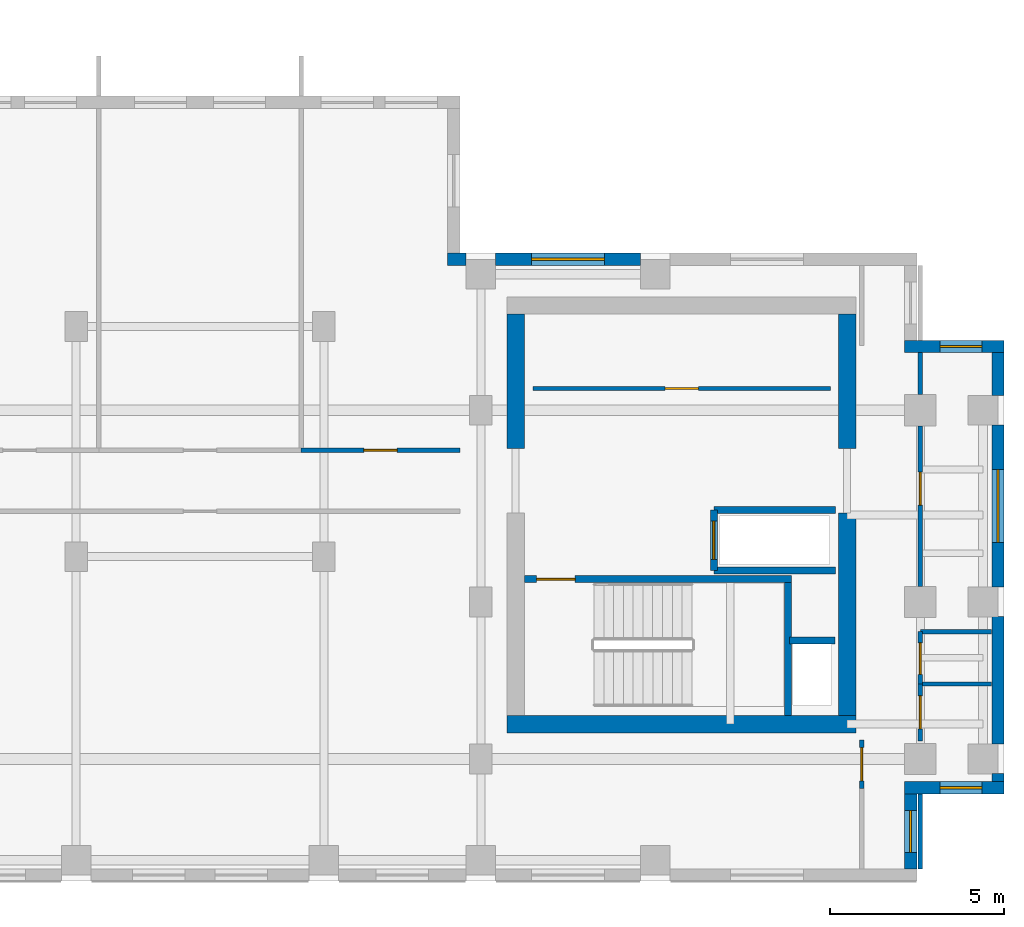
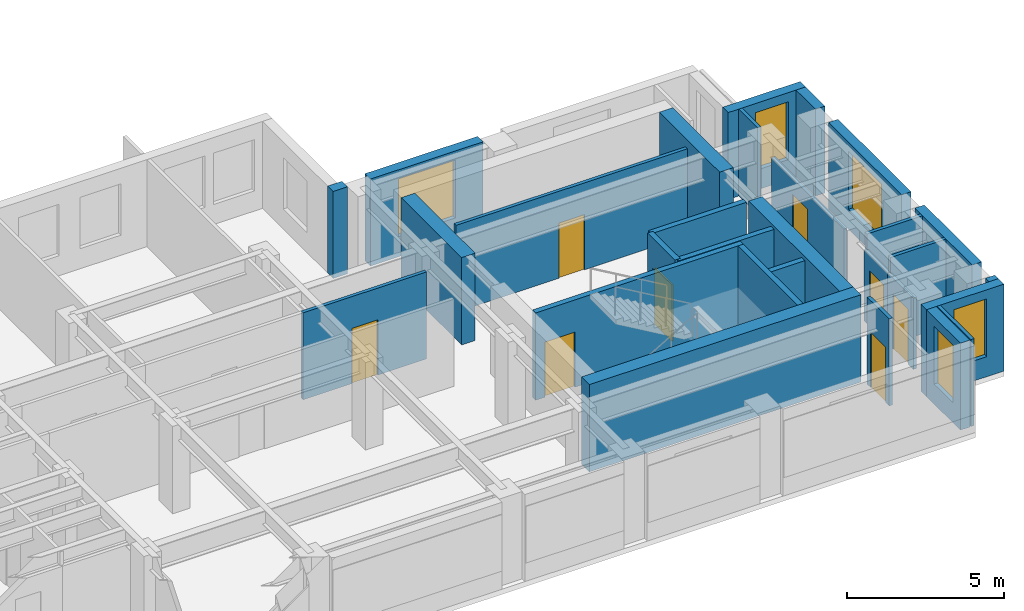
# One storey, part 9 of 12: 29 walls, 8 doors, 5 windows, 13 openings.
"""IFC4 building model written with IfcOpenShell, lengths in metres."""

from ifc_helpers import new_model, si_unit, direction, frame, frame_2d, origin, place, context, subcontext, project, spatial, rectangle, extrude, source, transform, mapped, material, layer, layer_set, type_object, element, fill, save


model = new_model("IFC4")

# Units and contexts
model_context = context("Model", 3, precision=1e-05, world=origin(), true_north=direction((0.0, 1.0)))
body_context = subcontext(model_context, "Body", "Model", "MODEL_VIEW")
ifc_project = project(units=[si_unit("LENGTHUNIT", "METRE"), si_unit("AREAUNIT", "SQUARE_METRE"), si_unit("VOLUMEUNIT", "CUBIC_METRE"), si_unit("PLANEANGLEUNIT", "RADIAN"), si_unit("MASSUNIT", "GRAM", prefix="KILO")], contexts=[model_context])

# Site, building, storey
site_placement = place(None, origin())
site = spatial("IfcSite", under=ifc_project, at=site_placement, CompositionType="ELEMENT")
building_placement = place(site_placement, origin())
building = spatial("IfcBuilding", under=site, at=building_placement, Name="Kharzan Plaza Tower", CompositionType="ELEMENT")
storey_placement = place(building_placement, frame((0.0, 0.0, 255.60009765625)))
storey = spatial("IfcBuildingStorey", under=building, at=storey_placement, Name="L69", CompositionType="ELEMENT", Elevation=255.60009765625)

# Wall, opening, window
ifc_material_1 = material(Name="Concrete C40/50", Category="concrete")
ifc_layer_1 = layer(ifc_material_1, 0.35009765625)
ifc_layer_set_1 = layer_set([ifc_layer_1], Name="Concrete C40/50")
wall_type_1 = type_object("IfcWallType", Name="WL-EXT-MAS-Z4", PredefinedType="SOLIDWALL", material=ifc_layer_set_1)
wall_1_placement = place(storey_placement, frame((47.324951171875, 0.347900390625, 0.0), z_axis=(0.0, 0.0, 1.0), x_axis=(0.0, 1.0, 0.0)))
wall_1 = element("IfcWall", 1, at=wall_1_placement, inside=storey, type_object=wall_type_1, Name="L69 Masonry-Frame Exterior Wall 35", PredefinedType="SOLIDWALL", context=body_context, shape_type="SweptSolid", body=[
    extrude(rectangle(XDim=2.154052734375, YDim=0.35009765625, at=frame_2d((1.0771484375, 0.0))), origin(), (0.0, 0.0, 1.0), 3.385009765625),
])
opening_1_placement = place(wall_1_placement, frame((0.47705078125, 0.0, 0.780029296875)))
opening_1 = element("IfcOpeningElement", 2, at=opening_1_placement, cuts=wall_1, Name="Opening W3", PredefinedType="OPENING", context=body_context, shape_type="SweptSolid", body=[
    extrude(rectangle(XDim=1.199951171875, YDim=2.25, at=frame_2d((0.60009765625, 1.125))), frame((0.0, 0.18505859375, 0.0), z_axis=(0.0, -1.0, 0.0), x_axis=(1.0, 0.0, 0.0)), (0.0, 0.0, 1.0), 0.3701171875),
])
ifc_material_2 = material(Name="Low-E Double Glazing", Category="glass")
window_type_1 = type_object("IfcWindowType", Name="WN-REC-1200x2100", PartitioningType="SINGLE_PANEL", PredefinedType="WINDOW", material=ifc_material_2)
shared_shape_1 = source(origin(), body_context, "Body", "SweptSolid", [
    extrude(rectangle(XDim=1.199951171875, YDim=2.25, at=frame_2d((0.60009765625, 1.125))), frame((0.0, 0.030029296875, 0.0), z_axis=(0.0, -1.0, 0.0), x_axis=(1.0, 0.0, 0.0)), (0.0, 0.0, 1.0), 0.06005859375),
])
window_1_placement = place(opening_1_placement, origin())
window_1 = element("IfcWindow", 3, at=window_1_placement, inside=storey, type_object=window_type_1, Name="L69 Recessed Solar-Control Window 35-1", OverallHeight=2.25, OverallWidth=1.199951171875, PartitioningType="SINGLE_PANEL", PredefinedType="WINDOW", context=body_context, shape_type="MappedRepresentation", body=[
    mapped(shared_shape_1, transform((0.0, 0.0, 0.0), x_axis=(1.0, 0.0, 0.0), y_axis=(0.0, 1.0, 0.0), z_axis=(0.0, 0.0, 1.0))),
])
fill(opening_1, window_1)

wall_2_placement = place(storey_placement, frame((47.14990234375, 2.675048828125, 0.0), z_axis=(0.0, 0.0, 1.0), x_axis=(1.0, 0.0, 0.0)))
wall_2 = element("IfcWall", 4, at=wall_2_placement, inside=storey, type_object=wall_type_1, Name="L69 Masonry-Frame Exterior Wall 36", PredefinedType="SOLIDWALL", context=body_context, shape_type="SweptSolid", body=[
    extrude(rectangle(XDim=2.85009765625, YDim=0.35009765625, at=frame_2d((1.425048828125, 0.0))), origin(), (0.0, 0.0, 1.0), 3.385009765625),
])
opening_2_placement = place(wall_2_placement, frame((1.014892578125, 0.0, 0.780029296875)))
opening_2 = element("IfcOpeningElement", 5, at=opening_2_placement, cuts=wall_2, Name="Opening W3", PredefinedType="OPENING", context=body_context, shape_type="SweptSolid", body=[
    extrude(rectangle(XDim=1.199951171875, YDim=2.25, at=frame_2d((0.60009765625, 1.125))), frame((0.0, 0.18505859375, 0.0), z_axis=(0.0, -1.0, 0.0), x_axis=(1.0, 0.0, 0.0)), (0.0, 0.0, 1.0), 0.3701171875),
])
window_2_placement = place(opening_2_placement, origin())
window_2 = element("IfcWindow", 6, at=window_2_placement, inside=storey, type_object=window_type_1, Name="L69 Recessed Solar-Control Window 36-1", OverallHeight=2.25, OverallWidth=1.199951171875, PartitioningType="SINGLE_PANEL", PredefinedType="WINDOW", context=body_context, shape_type="MappedRepresentation", body=[
    mapped(shared_shape_1, transform((0.0, 0.0, 0.0), x_axis=(1.0, 0.0, 0.0), y_axis=(0.0, 1.0, 0.0), z_axis=(0.0, 0.0, 1.0))),
])
fill(opening_2, window_2)

wall_3_placement = place(storey_placement, frame((49.824951171875, 8.423095703125, 0.0), z_axis=(0.0, 0.0, 1.0), x_axis=(0.0, 1.0, 0.0)))
wall_3 = element("IfcWall", 7, at=wall_3_placement, inside=storey, type_object=wall_type_1, Name="L69 Masonry-Frame Exterior Wall 39", PredefinedType="SOLIDWALL", context=body_context, shape_type="SweptSolid", body=[
    extrude(rectangle(XDim=4.65380859375, YDim=0.35009765625, at=frame_2d((2.326904296875, 0.0))), origin(), (0.0, 0.0, 1.0), 3.385009765625),
])
opening_3_placement = place(wall_3_placement, frame((1.277099609375, 0.0, 0.780029296875)))
opening_3 = element("IfcOpeningElement", 8, at=opening_3_placement, cuts=wall_3, Name="Opening W6", PredefinedType="OPENING", context=body_context, shape_type="SweptSolid", body=[
    extrude(rectangle(XDim=2.10009765625, YDim=2.25, at=frame_2d((1.050048828125, 1.125))), frame((0.0, 0.18505859375, 0.0), z_axis=(0.0, -1.0, 0.0), x_axis=(1.0, 0.0, 0.0)), (0.0, 0.0, 1.0), 0.3701171875),
])
window_type_2 = type_object("IfcWindowType", Name="WN-EXEC-2100x2250", PartitioningType="SINGLE_PANEL", PredefinedType="WINDOW", material=ifc_material_2)
shared_shape_2 = source(origin(), body_context, "Body", "SweptSolid", [
    extrude(rectangle(XDim=2.10009765625, YDim=2.25, at=frame_2d((1.050048828125, 1.125))), frame((0.0, 0.030029296875, 0.0), z_axis=(0.0, -1.0, 0.0), x_axis=(1.0, 0.0, 0.0)), (0.0, 0.0, 1.0), 0.06005859375),
])
window_3_placement = place(opening_3_placement, origin())
window_3 = element("IfcWindow", 9, at=window_3_placement, inside=storey, type_object=window_type_2, Name="L69 Recessed Solar-Control Window 39-1", OverallHeight=2.25, OverallWidth=2.10009765625, PartitioningType="SINGLE_PANEL", PredefinedType="WINDOW", context=body_context, shape_type="MappedRepresentation", body=[
    mapped(shared_shape_2, transform((0.0, 0.0, 0.0), x_axis=(1.0, 0.0, 0.0), y_axis=(0.0, 1.0, 0.0), z_axis=(0.0, 0.0, 1.0))),
])
fill(opening_3, window_3)

wall_4_placement = place(storey_placement, frame((50.0, 15.324951171875, 0.0), z_axis=(0.0, 0.0, 1.0), x_axis=(-1.0, 0.0, 0.0)))
wall_4 = element("IfcWall", 10, at=wall_4_placement, inside=storey, type_object=wall_type_1, Name="L69 Masonry-Frame Exterior Wall 41", PredefinedType="SOLIDWALL", context=body_context, shape_type="SweptSolid", body=[
    extrude(rectangle(XDim=2.85009765625, YDim=0.35009765625, at=frame_2d((1.425048828125, 0.0))), origin(), (0.0, 0.0, 1.0), 3.385009765625),
])
opening_4_placement = place(wall_4_placement, frame((0.635009765625, 0.0, 0.780029296875)))
opening_4 = element("IfcOpeningElement", 11, at=opening_4_placement, cuts=wall_4, Name="Opening W3", PredefinedType="OPENING", context=body_context, shape_type="SweptSolid", body=[
    extrude(rectangle(XDim=1.199951171875, YDim=2.25, at=frame_2d((0.60009765625, 1.125))), frame((0.0, 0.18505859375, 0.0), z_axis=(0.0, -1.0, 0.0), x_axis=(1.0, 0.0, 0.0)), (0.0, 0.0, 1.0), 0.3701171875),
])
window_4_placement = place(opening_4_placement, origin())
window_4 = element("IfcWindow", 12, at=window_4_placement, inside=storey, type_object=window_type_1, Name="L69 Recessed Solar-Control Window 41-1", OverallHeight=2.25, OverallWidth=1.199951171875, PartitioningType="SINGLE_PANEL", PredefinedType="WINDOW", context=body_context, shape_type="MappedRepresentation", body=[
    mapped(shared_shape_1, transform((0.0, 0.0, 0.0), x_axis=(1.0, 0.0, 0.0), y_axis=(0.0, 1.0, 0.0), z_axis=(0.0, 0.0, 1.0))),
])
fill(opening_4, window_4)

wall_5_placement = place(storey_placement, frame((39.576904296875, 17.824951171875, 0.0), z_axis=(0.0, 0.0, 1.0), x_axis=(-1.0, 0.0, 0.0)))
wall_5 = element("IfcWall", 13, at=wall_5_placement, inside=storey, type_object=wall_type_1, Name="L69 Masonry-Frame Exterior Wall 44", PredefinedType="SOLIDWALL", context=body_context, shape_type="SweptSolid", body=[
    extrude(rectangle(XDim=4.15380859375, YDim=0.35009765625, at=frame_2d((2.076904296875, 0.0))), origin(), (0.0, 0.0, 1.0), 3.385009765625),
])
opening_5_placement = place(wall_5_placement, frame((1.027099609375, 0.0, 0.780029296875)))
opening_5 = element("IfcOpeningElement", 14, at=opening_5_placement, cuts=wall_5, Name="Opening W6", PredefinedType="OPENING", context=body_context, shape_type="SweptSolid", body=[
    extrude(rectangle(XDim=2.10009765625, YDim=2.25, at=frame_2d((1.050048828125, 1.125))), frame((0.0, 0.18505859375, 0.0), z_axis=(0.0, -1.0, 0.0), x_axis=(1.0, 0.0, 0.0)), (0.0, 0.0, 1.0), 0.3701171875),
])
window_5_placement = place(opening_5_placement, origin())
window_5 = element("IfcWindow", 15, at=window_5_placement, inside=storey, type_object=window_type_2, Name="L69 Recessed Solar-Control Window 44-1", OverallHeight=2.25, OverallWidth=2.10009765625, PartitioningType="SINGLE_PANEL", PredefinedType="WINDOW", context=body_context, shape_type="MappedRepresentation", body=[
    mapped(shared_shape_2, transform((0.0, 0.0, 0.0), x_axis=(1.0, 0.0, 0.0), y_axis=(0.0, 1.0, 0.0), z_axis=(0.0, 0.0, 1.0))),
])
fill(opening_5, window_5)

# Wall, opening, door
ifc_material_3 = material(Name="Fire-Rated Gypsum Board Partition", Category="gypsum")
ifc_layer_2 = layer(ifc_material_3, 0.125)
ifc_layer_set_2 = layer_set([ifc_layer_2], Name="Fire-Rated Gypsum Board Partition")
wall_type_2 = type_object("IfcWallType", Name="WL-INT-PART-125", PredefinedType="PARTITIONING", material=ifc_layer_set_2)
wall_6_placement = place(storey_placement, frame((36.5, 14.1201171875, 0.0), z_axis=(0.0, 0.0, 1.0), x_axis=(1.0, 0.0, 0.0)))
wall_6 = element("IfcWall", 16, at=wall_6_placement, inside=storey, type_object=wall_type_2, Name="L69 Interior Partition CB-RBLS1", PredefinedType="PARTITIONING", context=body_context, shape_type="SweptSolid", body=[
    extrude(rectangle(XDim=8.52001953125, YDim=0.125, at=frame_2d((4.260009765625, 0.0))), origin(), (0.0, 0.0, 1.0), 3.385009765625),
])
opening_6_placement = place(wall_6_placement, frame((3.784912109375, 0.0, 0.0)))
opening_6 = element("IfcOpeningElement", 17, at=opening_6_placement, cuts=wall_6, Name="Opening OD1", PredefinedType="OPENING", context=body_context, shape_type="SweptSolid", body=[
    extrude(rectangle(XDim=0.949951171875, YDim=2.14990234375, at=frame_2d((0.47509765625, 1.074951171875))), frame((0.0, 0.072509765625, 0.0), z_axis=(0.0, -1.0, 0.0), x_axis=(1.0, 0.0, 0.0)), (0.0, 0.0, 1.0), 0.14501953125),
])
ifc_material_4 = material(Name="Acoustic Solid-Core Stained Oak", Category="timber")
door_type_1 = type_object("IfcDoorType", Name="DR-OFF-SINGLE", OperationType="NOTDEFINED", PredefinedType="DOOR", material=ifc_material_4)
shared_shape_3 = source(origin(), body_context, "Body", "SweptSolid", [
    extrude(rectangle(XDim=0.949951171875, YDim=2.14990234375, at=frame_2d((0.47509765625, 1.074951171875))), frame((0.0, 0.02490234375, 0.0), z_axis=(0.0, -1.0, 0.0), x_axis=(1.0, 0.0, 0.0)), (0.0, 0.0, 1.0), 0.050048828125),
])
door_1_placement = place(opening_6_placement, origin())
door_1 = element("IfcDoor", 18, at=door_1_placement, inside=storey, type_object=door_type_1, Name="L69 Mail Room Door", OperationType="SINGLE_SWING_RIGHT", OverallHeight=2.14990234375, OverallWidth=0.949951171875, PredefinedType="DOOR", context=body_context, shape_type="MappedRepresentation", body=[
    mapped(shared_shape_3, transform((0.0, 0.0, 0.0), x_axis=(1.0, 0.0, 0.0), y_axis=(0.0, 1.0, 0.0), z_axis=(0.0, 0.0, 1.0))),
])
fill(opening_6, door_1)

wall_7_placement = place(storey_placement, frame((47.60009765625, 4.02001953125, 0.0), z_axis=(0.0, 0.0, 1.0), x_axis=(0.0, 1.0, 0.0)))
wall_7 = element("IfcWall", 19, at=wall_7_placement, inside=storey, type_object=wall_type_2, Name="L69 Interior Partition SH-B0W0", PredefinedType="PARTITIONING", context=body_context, shape_type="SweptSolid", body=[
    extrude(rectangle(XDim=1.6298828125, YDim=0.125, at=frame_2d((0.81494140625, 0.0))), origin(), (0.0, 0.0, 1.0), 2.77294921875),
])
opening_7_placement = place(wall_7_placement, frame((0.340087890625, 0.0, 0.0)))
opening_7 = element("IfcOpeningElement", 20, at=opening_7_placement, cuts=wall_7, Name="Opening OD1", PredefinedType="OPENING", context=body_context, shape_type="SweptSolid", body=[
    extrude(rectangle(XDim=0.949951171875, YDim=2.14990234375, at=frame_2d((0.47509765625, 1.074951171875))), frame((0.0, 0.072509765625, 0.0), z_axis=(0.0, -1.0, 0.0), x_axis=(1.0, 0.0, 0.0)), (0.0, 0.0, 1.0), 0.14501953125),
])
door_2_placement = place(opening_7_placement, origin())
door_2 = element("IfcDoor", 21, at=door_2_placement, inside=storey, type_object=door_type_1, Name="L69 Wing B South Office Door", OperationType="SINGLE_SWING_RIGHT", OverallHeight=2.14990234375, OverallWidth=0.949951171875, PredefinedType="DOOR", context=body_context, shape_type="MappedRepresentation", body=[
    mapped(shared_shape_3, transform((0.0, 0.0, 0.0), x_axis=(1.0, 0.0, 0.0), y_axis=(0.0, 1.0, 0.0), z_axis=(0.0, 0.0, 1.0))),
])
fill(opening_7, door_2)

wall_8_placement = place(storey_placement, frame((47.60009765625, 8.449951171875, 0.0), z_axis=(0.0, 0.0, 1.0), x_axis=(0.0, 1.0, 0.0)))
wall_8 = element("IfcWall", 22, at=wall_8_placement, inside=storey, type_object=wall_type_2, Name="L69 Interior Partition SH-B0W1-S1", PredefinedType="PARTITIONING", context=body_context, shape_type="SweptSolid", body=[
    extrude(rectangle(XDim=4.60009765625, YDim=0.125, at=frame_2d((2.300048828125, 0.0))), origin(), (0.0, 0.0, 1.0), 2.77294921875),
])
opening_8_placement = place(wall_8_placement, frame((2.324951171875, 0.0, 0.0)))
opening_8 = element("IfcOpeningElement", 23, at=opening_8_placement, cuts=wall_8, Name="Opening OD1", PredefinedType="OPENING", context=body_context, shape_type="SweptSolid", body=[
    extrude(rectangle(XDim=0.949951171875, YDim=2.14990234375, at=frame_2d((0.47509765625, 1.074951171875))), frame((0.0, 0.072509765625, 0.0), z_axis=(0.0, -1.0, 0.0), x_axis=(1.0, 0.0, 0.0)), (0.0, 0.0, 1.0), 0.14501953125),
])
door_3_placement = place(opening_8_placement, origin())
door_3 = element("IfcDoor", 24, at=door_3_placement, inside=storey, type_object=door_type_1, Name="L69 Open Engineering Workspace Door", OperationType="SINGLE_SWING_LEFT", OverallHeight=2.14990234375, OverallWidth=0.949951171875, PredefinedType="DOOR", context=body_context, shape_type="MappedRepresentation", body=[
    mapped(shared_shape_3, transform((0.0, 0.0, 0.0), x_axis=(1.0, 0.0, 0.0), y_axis=(0.0, 1.0, 0.0), z_axis=(0.0, 0.0, 1.0))),
])
fill(opening_8, door_3)

wall_9_placement = place(storey_placement, frame((47.60009765625, 5.64990234375, 0.0), z_axis=(0.0, 0.0, 1.0), x_axis=(0.0, 1.0, 0.0)))
wall_9 = element("IfcWall", 25, at=wall_9_placement, inside=storey, type_object=wall_type_2, Name="L69 Interior Partition SH-B0WC", PredefinedType="PARTITIONING", context=body_context, shape_type="SweptSolid", body=[
    extrude(rectangle(XDim=1.5, YDim=0.125, at=frame_2d((0.75, 0.0))), origin(), (0.0, 0.0, 1.0), 2.77294921875),
])
opening_9_placement = place(wall_9_placement, frame((0.27490234375, 0.0, 0.0)))
opening_9 = element("IfcOpeningElement", 26, at=opening_9_placement, cuts=wall_9, Name="Opening WD1", PredefinedType="OPENING", context=body_context, shape_type="SweptSolid", body=[
    extrude(rectangle(XDim=0.89990234375, YDim=2.14990234375, at=frame_2d((0.449951171875, 1.074951171875))), frame((0.0, 0.072509765625, 0.0), z_axis=(0.0, -1.0, 0.0), x_axis=(1.0, 0.0, 0.0)), (0.0, 0.0, 1.0), 0.14501953125),
])
ifc_material_5 = material(Name="Moisture-Resistant Fire-Rated Laminate", Category="timber")
door_type_2 = type_object("IfcDoorType", Name="DR-WC-900", OperationType="NOTDEFINED", PredefinedType="DOOR", material=ifc_material_5)
shared_shape_4 = source(origin(), body_context, "Body", "SweptSolid", [
    extrude(rectangle(XDim=0.89990234375, YDim=2.14990234375, at=frame_2d((0.449951171875, 1.074951171875))), frame((0.0, 0.02490234375, 0.0), z_axis=(0.0, -1.0, 0.0), x_axis=(1.0, 0.0, 0.0)), (0.0, 0.0, 1.0), 0.050048828125),
])
door_4_placement = place(opening_9_placement, origin())
door_4 = element("IfcDoor", 27, at=door_4_placement, inside=storey, type_object=door_type_2, Name="L69 Wing B Washroom Door", OperationType="SINGLE_SWING_LEFT", OverallHeight=2.14990234375, OverallWidth=0.89990234375, PredefinedType="DOOR", context=body_context, shape_type="MappedRepresentation", body=[
    mapped(shared_shape_4, transform((0.0, 0.0, 0.0), x_axis=(1.0, 0.0, 0.0), y_axis=(0.0, 1.0, 0.0), z_axis=(0.0, 0.0, 1.0))),
])
fill(opening_9, door_4)

wall_10_placement = place(storey_placement, frame((45.919921875, 2.64990234375, 0.0), z_axis=(0.0, 0.0, 1.0), x_axis=(0.0, 1.0, 0.0)))
wall_10 = element("IfcWall", 28, at=wall_10_placement, inside=storey, type_object=wall_type_2, Name="L69 Interior Partition SH-RBSE", PredefinedType="PARTITIONING", context=body_context, shape_type="SweptSolid", body=[
    extrude(rectangle(XDim=1.400146484375, YDim=0.125, at=frame_2d((0.7001953125, 0.0))), origin(), (0.0, 0.0, 1.0), 3.385009765625),
])
opening_10_placement = place(wall_10_placement, frame((0.22509765625, 0.0, 0.0)))
opening_10 = element("IfcOpeningElement", 29, at=opening_10_placement, cuts=wall_10, Name="Opening OD1", PredefinedType="OPENING", context=body_context, shape_type="SweptSolid", body=[
    extrude(rectangle(XDim=0.949951171875, YDim=2.14990234375, at=frame_2d((0.47509765625, 1.074951171875))), frame((0.0, 0.072509765625, 0.0), z_axis=(0.0, -1.0, 0.0), x_axis=(1.0, 0.0, 0.0)), (0.0, 0.0, 1.0), 0.14501953125),
])
door_5_placement = place(opening_10_placement, origin())
door_5 = element("IfcDoor", 30, at=door_5_placement, inside=storey, type_object=door_type_1, Name="L69 South-East Corner Office Door", OperationType="SINGLE_SWING_RIGHT", OverallHeight=2.14990234375, OverallWidth=0.949951171875, PredefinedType="DOOR", context=body_context, shape_type="MappedRepresentation", body=[
    mapped(shared_shape_3, transform((0.0, 0.0, 0.0), x_axis=(1.0, 0.0, 0.0), y_axis=(0.0, 1.0, 0.0), z_axis=(0.0, 0.0, 1.0))),
])
fill(opening_10, door_5)

wall_11_placement = place(storey_placement, frame((29.85009765625, 12.35009765625, 0.0), z_axis=(0.0, 0.0, 1.0), x_axis=(1.0, 0.0, 0.0)))
wall_11 = element("IfcWall", 31, at=wall_11_placement, inside=storey, type_object=wall_type_2, Name="L69 Interior Partition SH-SPNE1", PredefinedType="PARTITIONING", context=body_context, shape_type="SweptSolid", body=[
    extrude(rectangle(XDim=4.5498046875, YDim=0.125, at=frame_2d((2.27490234375, 0.0))), origin(), (0.0, 0.0, 1.0), 3.385009765625),
])
opening_11_placement = place(wall_11_placement, frame((1.800048828125, 0.0, 0.0)))
opening_11 = element("IfcOpeningElement", 32, at=opening_11_placement, cuts=wall_11, Name="Opening OD1", PredefinedType="OPENING", context=body_context, shape_type="SweptSolid", body=[
    extrude(rectangle(XDim=0.949951171875, YDim=2.14990234375, at=frame_2d((0.47509765625, 1.074951171875))), frame((0.0, 0.072509765625, 0.0), z_axis=(0.0, -1.0, 0.0), x_axis=(1.0, 0.0, 0.0)), (0.0, 0.0, 1.0), 0.14501953125),
])
door_6_placement = place(opening_11_placement, origin())
door_6 = element("IfcDoor", 33, at=door_6_placement, inside=storey, type_object=door_type_1, Name="L69 North-East Spine Door", OperationType="SINGLE_SWING_RIGHT", OverallHeight=2.14990234375, OverallWidth=0.949951171875, PredefinedType="DOOR", context=body_context, shape_type="MappedRepresentation", body=[
    mapped(shared_shape_3, transform((0.0, 0.0, 0.0), x_axis=(1.0, 0.0, 0.0), y_axis=(0.0, 1.0, 0.0), z_axis=(0.0, 0.0, 1.0))),
])
fill(opening_11, door_6)

ifc_layer_3 = layer(ifc_material_1, 0.199951171875)
ifc_layer_set_3 = layer_set([ifc_layer_3], Name="Concrete C40/50")
wall_type_3 = type_object("IfcWallType", Name="WL-INT-SHAFT-200", PredefinedType="PARTITIONING", material=ifc_layer_set_3)
wall_12_placement = place(storey_placement, frame((41.679931640625, 8.89990234375, 0.0), z_axis=(0.0, 0.0, 1.0), x_axis=(0.0, 1.0, 0.0)))
wall_12 = element("IfcWall", 34, at=wall_12_placement, inside=storey, type_object=wall_type_3, Name="L69 Interior Partition SHF-SVL-2-W", PredefinedType="PARTITIONING", context=body_context, shape_type="SweptSolid", body=[
    extrude(rectangle(XDim=1.739990234375, YDim=0.199951171875, at=frame_2d((0.8701171875, 0.0))), origin(), (0.0, 0.0, 1.0), 3.385009765625),
])
opening_12_placement = place(wall_12_placement, frame((0.320068359375, 0.0, 0.0)))
opening_12 = element("IfcOpeningElement", 35, at=opening_12_placement, cuts=wall_12, Name="Opening LD", PredefinedType="OPENING", context=body_context, shape_type="SweptSolid", body=[
    extrude(rectangle(XDim=1.10009765625, YDim=2.199951171875, at=frame_2d((0.550048828125, 1.10009765625))), frame((0.0, 0.10986328125, 0.0), z_axis=(0.0, -1.0, 0.0), x_axis=(1.0, 0.0, 0.0)), (0.0, 0.0, 1.0), 0.219970703125),
])
ifc_material_6 = material(Name="Brushed Stainless Steel", Category="steel")
door_type_3 = type_object("IfcDoorType", Name="DR-LIFT-SLIDE", OperationType="SLIDING_TO_LEFT", PredefinedType="DOOR", material=ifc_material_6)
shared_shape_5 = source(origin(), body_context, "Body", "SweptSolid", [
    extrude(rectangle(XDim=1.10009765625, YDim=2.199951171875, at=frame_2d((0.550048828125, 1.10009765625))), frame((0.0, 0.02490234375, 0.0), z_axis=(0.0, -1.0, 0.0), x_axis=(1.0, 0.0, 0.0)), (0.0, 0.0, 1.0), 0.050048828125),
])
door_7_placement = place(opening_12_placement, origin())
door_7 = element("IfcDoor", 36, at=door_7_placement, inside=storey, type_object=door_type_3, Name="L69 Service Lift SVL-2 Sliding Landing Door", OperationType="SLIDING_TO_LEFT", OverallHeight=2.199951171875, OverallWidth=1.10009765625, PredefinedType="DOOR", context=body_context, shape_type="MappedRepresentation", body=[
    mapped(shared_shape_5, transform((0.0, 0.0, 0.0), x_axis=(1.0, 0.0, 0.0), y_axis=(0.0, 1.0, 0.0), z_axis=(0.0, 0.0, 1.0))),
])
fill(opening_12, door_7)

ifc_material_7 = material(Name="Concrete C50/60", Category="concrete")
ifc_layer_4 = layer(ifc_material_7, 0.199951171875)
ifc_layer_set_4 = layer_set([ifc_layer_4], Name="Concrete C50/60")
wall_type_4 = type_object("IfcWallType", Name="WL-SHAFT-RC200", PredefinedType="SHEAR", material=ifc_layer_set_4)
wall_13_placement = place(storey_placement, frame((36.251953125, 8.655029296875, 0.0), z_axis=(0.0, 0.0, 1.0), x_axis=(1.0, 0.0, 0.0)))
wall_13 = element("IfcWall", 37, at=wall_13_placement, inside=storey, type_object=wall_type_4, Name="L69 Stair ST-3 North RC Shaft Wall", PredefinedType="SHEAR", context=body_context, shape_type="SweptSolid", body=[
    extrude(rectangle(XDim=7.653076171875, YDim=0.199951171875, at=frame_2d((3.82666015625, 0.0))), origin(), (0.0, 0.0, 1.0), 3.39990234375),
])
opening_13_placement = place(wall_13_placement, frame((0.35009765625, 0.0, 0.0)))
opening_13 = element("IfcOpeningElement", 38, at=opening_13_placement, cuts=wall_13, Name="Opening SD1", PredefinedType="OPENING", context=body_context, shape_type="SweptSolid", body=[
    extrude(rectangle(XDim=1.10009765625, YDim=2.14990234375, at=frame_2d((0.550048828125, 1.074951171875))), frame((0.0, 0.10986328125, 0.0), z_axis=(0.0, -1.0, 0.0), x_axis=(1.0, 0.0, 0.0)), (0.0, 0.0, 1.0), 0.219970703125),
])
ifc_material_8 = material(Name="Fire-Rated Hollow Galvanized Steel", Category="steel")
door_type_4 = type_object("IfcDoorType", Name="DR-STAIR-FD120", OperationType="NOTDEFINED", PredefinedType="DOOR", material=ifc_material_8)
shared_shape_6 = source(origin(), body_context, "Body", "SweptSolid", [
    extrude(rectangle(XDim=1.10009765625, YDim=2.14990234375, at=frame_2d((0.550048828125, 1.074951171875))), frame((0.0, 0.02490234375, 0.0), z_axis=(0.0, -1.0, 0.0), x_axis=(1.0, 0.0, 0.0)), (0.0, 0.0, 1.0), 0.050048828125),
])
door_8_placement = place(opening_13_placement, origin())
door_8 = element("IfcDoor", 39, at=door_8_placement, inside=storey, type_object=door_type_4, Name="L69 Stair ST-3 Fire Exit Door", OperationType="SINGLE_SWING_LEFT", OverallHeight=2.14990234375, OverallWidth=1.10009765625, PredefinedType="DOOR", context=body_context, shape_type="MappedRepresentation", body=[
    mapped(shared_shape_6, transform((0.0, 0.0, 0.0), x_axis=(1.0, 0.0, 0.0), y_axis=(0.0, 1.0, 0.0), z_axis=(0.0, 0.0, 1.0))),
])
fill(opening_13, door_8)

# Walls
shared_shape_7 = source(origin(), body_context, "Body", "SweptSolid", [
    extrude(rectangle(XDim=1.2998046875, YDim=0.199951171875, at=frame_2d((0.64990234375, 0.0))), origin(), (0.0, 0.0, 1.0), 3.385009765625),
])
wall_14_placement = place(storey_placement, frame((43.85009765625, 6.89990234375, 0.0), z_axis=(0.0, 0.0, 1.0), x_axis=(1.0, 0.0, 0.0)))
element("IfcWall", 40, at=wall_14_placement, inside=storey, type_object=wall_type_3, Name="L69 Interior Partition CB-RSRB-N", PredefinedType="PARTITIONING", context=body_context, shape_type="MappedRepresentation", body=[
    mapped(shared_shape_7, transform((0.0, 0.0, 0.0), x_axis=(1.0, 0.0, 0.0), y_axis=(0.0, 1.0, 0.0), z_axis=(0.0, 0.0, 1.0))),
])
shared_shape_8 = source(origin(), body_context, "Body", "SweptSolid", [
    extrude(rectangle(XDim=3.489990234375, YDim=0.199951171875, at=frame_2d((1.7451171875, 0.0))), origin(), (0.0, 0.0, 1.0), 3.385009765625),
])
for number, where, z_axis, x_axis, name in (
    (41, (41.679931640625, 10.639892578125, 0.0), (0.0, 0.0, 1.0), (1.0, 0.0, 0.0), "L69 Interior Partition SHF-SVL-2-N"),
    (42, (41.679931640625, 8.89990234375, 0.0), (0.0, 0.0, 1.0), (1.0, 0.0, 0.0), "L69 Interior Partition SHF-SVL-2-S"),
):
    element("IfcWall", number, at=place(storey_placement, frame(where, z_axis=z_axis, x_axis=x_axis)), inside=storey, type_object=wall_type_3, Name=name, PredefinedType="PARTITIONING", context=body_context, shape_type="MappedRepresentation", body=[
        mapped(shared_shape_8, transform((0.0, 0.0, 0.0), x_axis=(1.0, 0.0, 0.0), y_axis=(0.0, 1.0, 0.0), z_axis=(0.0, 0.0, 1.0))),
    ])
shared_shape_9 = source(origin(), body_context, "Body", "SweptSolid", [
    extrude(rectangle(XDim=0.22900390625, YDim=0.35009765625, at=frame_2d((0.114501953125, 0.0))), origin(), (0.0, 0.0, 1.0), 3.385009765625),
])
wall_15_placement = place(storey_placement, frame((49.824951171875, 2.847900390625, 0.0), z_axis=(0.0, 0.0, 1.0), x_axis=(0.0, 1.0, 0.0)))
element("IfcWall", 43, at=wall_15_placement, inside=storey, type_object=wall_type_1, Name="L69 Masonry-Frame Exterior Wall 37", PredefinedType="SOLIDWALL", context=body_context, shape_type="MappedRepresentation", body=[
    mapped(shared_shape_9, transform((0.0, 0.0, 0.0), x_axis=(1.0, 0.0, 0.0), y_axis=(0.0, 1.0, 0.0), z_axis=(0.0, 0.0, 1.0))),
])
shared_shape_10 = source(origin(), body_context, "Body", "SweptSolid", [
    extrude(rectangle(XDim=0.52685546875, YDim=0.35009765625, at=frame_2d((0.263427734375, 0.0))), origin(), (0.0, 0.0, 1.0), 3.385009765625),
])
wall_16_placement = place(storey_placement, frame((34.576904296875, 17.824951171875, 0.0), z_axis=(0.0, 0.0, 1.0), x_axis=(-1.0, 0.0, 0.0)))
element("IfcWall", 44, at=wall_16_placement, inside=storey, type_object=wall_type_1, Name="L69 Masonry-Frame Exterior Wall 45", PredefinedType="SOLIDWALL", context=body_context, shape_type="MappedRepresentation", body=[
    mapped(shared_shape_10, transform((0.0, 0.0, 0.0), x_axis=(1.0, 0.0, 0.0), y_axis=(0.0, 1.0, 0.0), z_axis=(0.0, 0.0, 1.0))),
])
shared_shape_11 = source(origin(), body_context, "Body", "SweptSolid", [
    extrude(rectangle(XDim=3.65380859375, YDim=0.35009765625, at=frame_2d((1.826904296875, 0.0))), origin(), (0.0, 0.0, 1.0), 3.385009765625),
])
wall_17_placement = place(storey_placement, frame((49.824951171875, 3.923095703125, 0.0), z_axis=(0.0, 0.0, 1.0), x_axis=(0.0, 1.0, 0.0)))
element("IfcWall", 45, at=wall_17_placement, inside=storey, type_object=wall_type_1, Name="L69 Masonry-Frame Exterior Wall 38", PredefinedType="SOLIDWALL", context=body_context, shape_type="MappedRepresentation", body=[
    mapped(shared_shape_11, transform((0.0, 0.0, 0.0), x_axis=(1.0, 0.0, 0.0), y_axis=(0.0, 1.0, 0.0), z_axis=(0.0, 0.0, 1.0))),
])
shared_shape_12 = source(origin(), body_context, "Body", "SweptSolid", [
    extrude(rectangle(XDim=1.22900390625, YDim=0.35009765625, at=frame_2d((0.614501953125, 0.0))), origin(), (0.0, 0.0, 1.0), 3.385009765625),
])
wall_18_placement = place(storey_placement, frame((49.824951171875, 13.923095703125, 0.0), z_axis=(0.0, 0.0, 1.0), x_axis=(0.0, 1.0, 0.0)))
element("IfcWall", 46, at=wall_18_placement, inside=storey, type_object=wall_type_1, Name="L69 Masonry-Frame Exterior Wall 40", PredefinedType="SOLIDWALL", context=body_context, shape_type="MappedRepresentation", body=[
    mapped(shared_shape_12, transform((0.0, 0.0, 0.0), x_axis=(1.0, 0.0, 0.0), y_axis=(0.0, 1.0, 0.0), z_axis=(0.0, 0.0, 1.0))),
])
shared_shape_13 = source(origin(), body_context, "Body", "SweptSolid", [
    extrude(rectangle(XDim=2.0478515625, YDim=0.125, at=frame_2d((1.02392578125, 0.0))), origin(), (0.0, 0.0, 1.0), 3.385009765625),
])
for number, where, z_axis, x_axis, name in (
    (47, (47.60009765625, 5.64990234375, 0.0), (0.0, 0.0, 1.0), (1.0, 0.0, 0.0), "L69 Interior Partition SH-B0H1"),
    (48, (47.60009765625, 7.14990234375, 0.0), (0.0, 0.0, 1.0), (1.0, 0.0, 0.0), "L69 Interior Partition SH-B0H2"),
):
    element("IfcWall", number, at=place(storey_placement, frame(where, z_axis=z_axis, x_axis=x_axis)), inside=storey, type_object=wall_type_2, Name=name, PredefinedType="PARTITIONING", context=body_context, shape_type="MappedRepresentation", body=[
        mapped(shared_shape_13, transform((0.0, 0.0, 0.0), x_axis=(1.0, 0.0, 0.0), y_axis=(0.0, 1.0, 0.0), z_axis=(0.0, 0.0, 1.0))),
    ])
shared_shape_14 = source(origin(), body_context, "Body", "SweptSolid", [
    extrude(rectangle(XDim=2.14794921875, YDim=0.125, at=frame_2d((1.073974609375, 0.0))), origin(), (0.0, 0.0, 1.0), 3.385009765625),
])
wall_19_placement = place(storey_placement, frame((47.60009765625, 0.35009765625, 0.0), z_axis=(0.0, 0.0, 1.0), x_axis=(0.0, 1.0, 0.0)))
element("IfcWall", 49, at=wall_19_placement, inside=storey, type_object=wall_type_2, Name="L69 Interior Partition SH-B0W0S", PredefinedType="PARTITIONING", context=body_context, shape_type="MappedRepresentation", body=[
    mapped(shared_shape_14, transform((0.0, 0.0, 0.0), x_axis=(1.0, 0.0, 0.0), y_axis=(0.0, 1.0, 0.0), z_axis=(0.0, 0.0, 1.0))),
])
shared_shape_15 = source(origin(), body_context, "Body", "SweptSolid", [
    extrude(rectangle(XDim=1.197998046875, YDim=0.125, at=frame_2d((0.59912109375, 0.0))), origin(), (0.0, 0.0, 1.0), 3.385009765625),
])
wall_20_placement = place(storey_placement, frame((47.60009765625, 13.949951171875, 0.0), z_axis=(0.0, 0.0, 1.0), x_axis=(0.0, 1.0, 0.0)))
element("IfcWall", 50, at=wall_20_placement, inside=storey, type_object=wall_type_2, Name="L69 Interior Partition SH-B0W1-S2", PredefinedType="PARTITIONING", context=body_context, shape_type="MappedRepresentation", body=[
    mapped(shared_shape_15, transform((0.0, 0.0, 0.0), x_axis=(1.0, 0.0, 0.0), y_axis=(0.0, 1.0, 0.0), z_axis=(0.0, 0.0, 1.0))),
])
ifc_layer_5 = layer(ifc_material_7, 0.5)
ifc_layer_set_5 = layer_set([ifc_layer_5], Name="Concrete C50/60")
wall_type_5 = type_object("IfcWallType", Name="WL-CORE-500", PredefinedType="SHEAR", material=ifc_layer_set_5)
shared_shape_16 = source(origin(), body_context, "Body", "SweptSolid", [
    extrude(rectangle(XDim=5.800048828125, YDim=0.5, at=frame_2d((2.89990234375, 0.0))), origin(), (0.0, 0.0, 1.0), 3.39990234375),
])
wall_21_placement = place(storey_placement, frame((45.5, 4.75, 0.0), z_axis=(0.0, 0.0, 1.0), x_axis=(0.0, 1.0, 0.0)))
element("IfcWall", 51, at=wall_21_placement, inside=storey, type_object=wall_type_5, Name="L69 CORE-B east shear pier 1", PredefinedType="SHEAR", context=body_context, shape_type="MappedRepresentation", body=[
    mapped(shared_shape_16, transform((0.0, 0.0, 0.0), x_axis=(1.0, 0.0, 0.0), y_axis=(0.0, 1.0, 0.0), z_axis=(0.0, 0.0, 1.0))),
])
shared_shape_17 = source(origin(), body_context, "Body", "SweptSolid", [
    extrude(rectangle(XDim=3.85009765625, YDim=0.5, at=frame_2d((1.925048828125, 0.0))), origin(), (0.0, 0.0, 1.0), 3.39990234375),
])
for number, where, z_axis, x_axis, name in (
    (52, (45.5, 12.39990234375, 0.0), (0.0, 0.0, 1.0), (0.0, 1.0, 0.0), "L69 CORE-B east shear pier 2"),
    (53, (36.0, 12.39990234375, 0.0), (0.0, 0.0, 1.0), (0.0, 1.0, 0.0), "L69 CORE-B west shear pier 2"),
):
    element("IfcWall", number, at=place(storey_placement, frame(where, z_axis=z_axis, x_axis=x_axis)), inside=storey, type_object=wall_type_5, Name=name, PredefinedType="SHEAR", context=body_context, shape_type="MappedRepresentation", body=[
        mapped(shared_shape_17, transform((0.0, 0.0, 0.0), x_axis=(1.0, 0.0, 0.0), y_axis=(0.0, 1.0, 0.0), z_axis=(0.0, 0.0, 1.0))),
    ])
shared_shape_18 = source(origin(), body_context, "Body", "SweptSolid", [
    extrude(rectangle(XDim=10.0, YDim=0.5, at=frame_2d((5.0, 0.0))), origin(), (0.0, 0.0, 1.0), 3.39990234375),
])
wall_22_placement = place(storey_placement, frame((35.75, 4.5, 0.0), z_axis=(0.0, 0.0, 1.0), x_axis=(1.0, 0.0, 0.0)))
element("IfcWall", 54, at=wall_22_placement, inside=storey, type_object=wall_type_5, Name="L69 CORE-B south RC shear wall", PredefinedType="SHEAR", context=body_context, shape_type="MappedRepresentation", body=[
    mapped(shared_shape_18, transform((0.0, 0.0, 0.0), x_axis=(1.0, 0.0, 0.0), y_axis=(0.0, 1.0, 0.0), z_axis=(0.0, 0.0, 1.0))),
])
shared_shape_19 = source(origin(), body_context, "Body", "SweptSolid", [
    extrude(rectangle(XDim=3.802978515625, YDim=0.199951171875, at=frame_2d((1.9013671875, 0.0))), origin(), (0.0, 0.0, 1.0), 3.39990234375),
])
wall_23_placement = place(storey_placement, frame((43.804931640625, 4.751953125, 0.0), z_axis=(0.0, 0.0, 1.0), x_axis=(0.0, 1.0, 0.0)))
element("IfcWall", 55, at=wall_23_placement, inside=storey, type_object=wall_type_4, Name="L69 Stair ST-3 East RC Shaft Wall", PredefinedType="SHEAR", context=body_context, shape_type="MappedRepresentation", body=[
    mapped(shared_shape_19, transform((0.0, 0.0, 0.0), x_axis=(1.0, 0.0, 0.0), y_axis=(0.0, 1.0, 0.0), z_axis=(0.0, 0.0, 1.0))),
])

save(model, "model.ifc")
